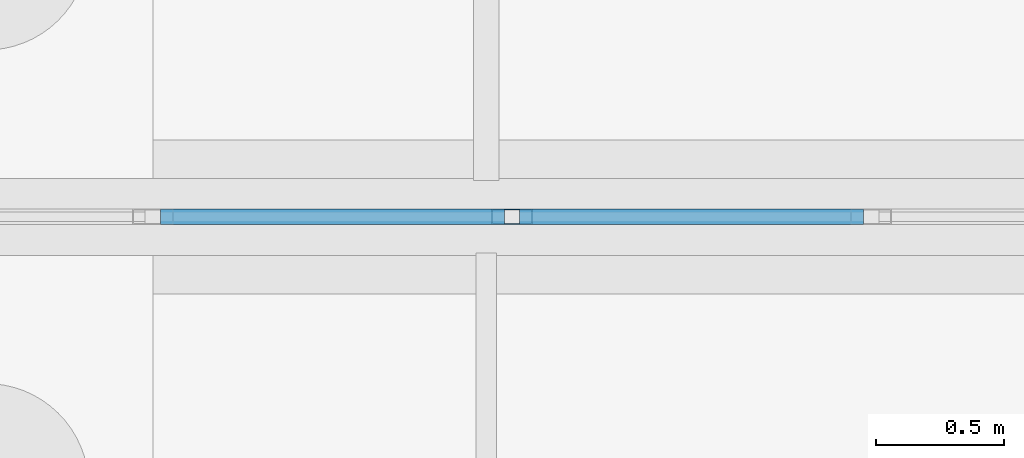
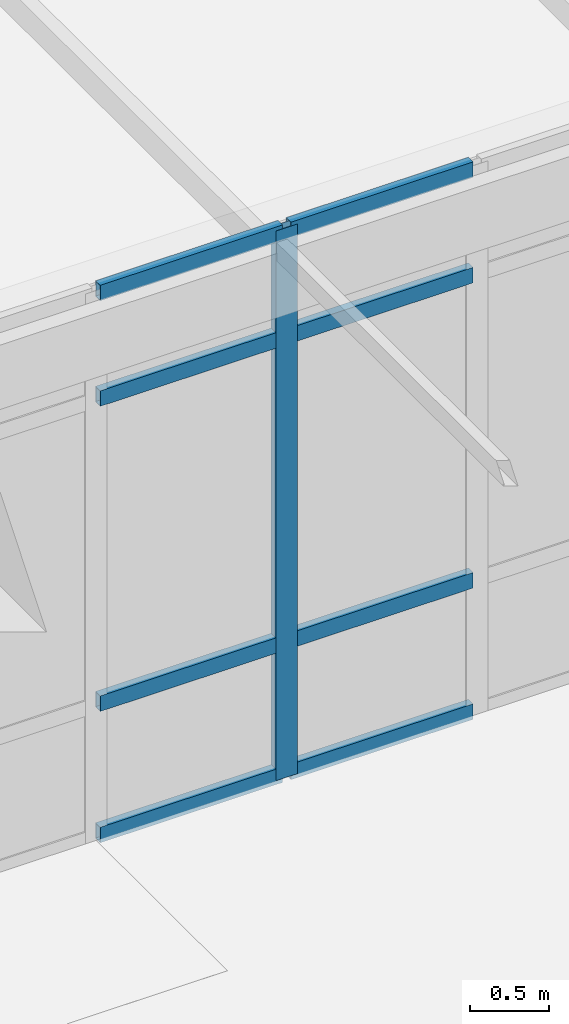
# One storey, part 68 of 186: 9 members, 1 element without a shape of its own.
"""IFC4 building model written with IfcOpenShell, lengths in metres."""

from ifc_helpers import new_model, si_unit, direction, frame, origin, origin_2d, place, context, subcontext, project, spatial, hollow_rectangle, extrude, material, layer, layer_set, material_profile, profile_set, type_object, element, aggregate, save


model = new_model("IFC4")

# Units and contexts
model_context = context("Model", 3, precision=1e-05, world=origin(), true_north=direction((0.0, 1.0)))
body_context = subcontext(model_context, "Body", "Model", "MODEL_VIEW")
ifc_project = project(units=[si_unit("LENGTHUNIT", "METRE"), si_unit("AREAUNIT", "SQUARE_METRE"), si_unit("VOLUMEUNIT", "CUBIC_METRE"), si_unit("PLANEANGLEUNIT", "RADIAN"), si_unit("MASSUNIT", "GRAM", prefix="KILO")], contexts=[model_context])

# Site, building, storey
site_placement = place(None, origin())
site = spatial("IfcSite", under=ifc_project, at=site_placement, CompositionType="ELEMENT")
building_placement = place(site_placement, origin())
building = spatial("IfcBuilding", under=site, at=building_placement, Name="Ornek Quay Market", CompositionType="ELEMENT")
storey_placement = place(building_placement, origin())
storey = spatial("IfcBuildingStorey", under=building, at=storey_placement, Name="L00", CompositionType="ELEMENT", Elevation=0.0)

# Curtain wall, members
ifc_material_1 = material(Name="Anodised bronze aluminium and triple low-e glass", Category="aluminium")
ifc_layer = layer(ifc_material_1, 0.179931640625, Name="Anodised bronze aluminium and triple low-e glass", Category="aluminium")
ifc_layer_set = layer_set([ifc_layer], Name="Anodised bronze aluminium and triple low-e glass")
curtain_wall_type = type_object("IfcCurtainWallType", Name="CW-CONC-MOD1500", PredefinedType="USERDEFINED", material=ifc_layer_set)
curtain_wall_placement = place(storey_placement, origin())
curtain_wall = element("IfcCurtainWall", 1, at=curtain_wall_placement, inside=storey, type_object=curtain_wall_type, Name="Curtain wall CW-005", ObjectType="CURTAIN WALL", PredefinedType="USERDEFINED")
ifc_material_2 = material(Name="Anodised aluminium 6063-T6", Category="aluminium")
ifc_material_profile_1 = material_profile(ifc_material_2, hollow_rectangle(XDim=0.06005859375, YDim=0.159912109375, WallThickness=0.00390625, at=origin_2d()), Name="CW-MUL-60x160", Category="aluminium")
ifc_profile_set_1 = profile_set([ifc_material_profile_1], Name="Anodised aluminium 6063-T6")
member_type_1 = type_object("IfcMemberType", Name="CW-MUL-60x160", PredefinedType="MULLION", material=ifc_profile_set_1)
member_1_placement = place(storey_placement, frame((30.10009765625, 110.0, 0.0), z_axis=(0.0, 0.0, 1.0), x_axis=(0.0, 1.0, 0.0)))
member_1 = element("IfcMember", 2, at=member_1_placement, type_object=member_type_1, Name="CW-005 mullion 3", PredefinedType="MULLION", context=body_context, shape_type="SweptSolid", body=[
    extrude(hollow_rectangle(XDim=0.06005859375, YDim=0.159912109375, WallThickness=0.00390625, at=origin_2d()), origin(), (0.0, 0.0, 1.0), 4.27001953125),
])
ifc_material_profile_2 = material_profile(ifc_material_2, hollow_rectangle(XDim=0.06005859375, YDim=0.1201171875, WallThickness=0.00390625, at=origin_2d()), Name="CW-TRN-60x120", Category="aluminium")
ifc_profile_set_2 = profile_set([ifc_material_profile_2], Name="Anodised aluminium 6063-T6")
member_type_2 = type_object("IfcMemberType", Name="CW-TRN-60x120", PredefinedType="USERDEFINED", material=ifc_profile_set_2)
member_2_placement = place(storey_placement, frame((28.72998046875, 110.0, 0.030029296875), z_axis=(1.0, 0.0, 0.0), x_axis=(0.0, 1.0, 0.0)))
member_2 = element("IfcMember", 3, at=member_2_placement, type_object=member_type_2, Name="CW-005 transom 2.1", ObjectType="TRANSOM", PredefinedType="USERDEFINED", context=body_context, shape_type="SweptSolid", body=[
    extrude(hollow_rectangle(XDim=0.06005859375, YDim=0.1201171875, WallThickness=0.00390625, at=origin_2d()), origin(), (0.0, 0.0, 1.0), 1.340087890625),
])
member_3_placement = place(storey_placement, frame((28.72998046875, 110.0, 1.050048828125), z_axis=(1.0, 0.0, 0.0), x_axis=(0.0, 1.0, 0.0)))
member_3 = element("IfcMember", 4, at=member_3_placement, type_object=member_type_2, Name="CW-005 transom 2.2", ObjectType="TRANSOM", PredefinedType="USERDEFINED", context=body_context, shape_type="SweptSolid", body=[
    extrude(hollow_rectangle(XDim=0.06005859375, YDim=0.1201171875, WallThickness=0.00390625, at=origin_2d()), origin(), (0.0, 0.0, 1.0), 1.340087890625),
])
member_4_placement = place(storey_placement, frame((28.72998046875, 110.0, 3.419921875), z_axis=(1.0, 0.0, 0.0), x_axis=(0.0, 1.0, 0.0)))
member_4 = element("IfcMember", 5, at=member_4_placement, type_object=member_type_2, Name="CW-005 transom 2.3", ObjectType="TRANSOM", PredefinedType="USERDEFINED", context=body_context, shape_type="SweptSolid", body=[
    extrude(hollow_rectangle(XDim=0.06005859375, YDim=0.1201171875, WallThickness=0.00390625, at=origin_2d()), origin(), (0.0, 0.0, 1.0), 1.340087890625),
])
member_5_placement = place(storey_placement, frame((28.72998046875, 110.0, 4.239990234375), z_axis=(1.0, 0.0, 0.0), x_axis=(0.0, 1.0, 0.0)))
member_5 = element("IfcMember", 6, at=member_5_placement, type_object=member_type_2, Name="CW-005 transom 2.4", ObjectType="TRANSOM", PredefinedType="USERDEFINED", context=body_context, shape_type="SweptSolid", body=[
    extrude(hollow_rectangle(XDim=0.06005859375, YDim=0.1201171875, WallThickness=0.00390625, at=origin_2d()), origin(), (0.0, 0.0, 1.0), 1.340087890625),
])
member_6_placement = place(storey_placement, frame((30.1298828125, 110.0, 0.030029296875), z_axis=(1.0, 0.0, 0.0), x_axis=(0.0, 1.0, 0.0)))
member_6 = element("IfcMember", 7, at=member_6_placement, type_object=member_type_2, Name="CW-005 transom 3.1", ObjectType="TRANSOM", PredefinedType="USERDEFINED", context=body_context, shape_type="SweptSolid", body=[
    extrude(hollow_rectangle(XDim=0.06005859375, YDim=0.1201171875, WallThickness=0.00390625, at=origin_2d()), origin(), (0.0, 0.0, 1.0), 1.340087890625),
])
member_7_placement = place(storey_placement, frame((30.1298828125, 110.0, 1.050048828125), z_axis=(1.0, 0.0, 0.0), x_axis=(0.0, 1.0, 0.0)))
member_7 = element("IfcMember", 8, at=member_7_placement, type_object=member_type_2, Name="CW-005 transom 3.2", ObjectType="TRANSOM", PredefinedType="USERDEFINED", context=body_context, shape_type="SweptSolid", body=[
    extrude(hollow_rectangle(XDim=0.06005859375, YDim=0.1201171875, WallThickness=0.00390625, at=origin_2d()), origin(), (0.0, 0.0, 1.0), 1.340087890625),
])
member_8_placement = place(storey_placement, frame((30.1298828125, 110.0, 3.419921875), z_axis=(1.0, 0.0, 0.0), x_axis=(0.0, 1.0, 0.0)))
member_8 = element("IfcMember", 9, at=member_8_placement, type_object=member_type_2, Name="CW-005 transom 3.3", ObjectType="TRANSOM", PredefinedType="USERDEFINED", context=body_context, shape_type="SweptSolid", body=[
    extrude(hollow_rectangle(XDim=0.06005859375, YDim=0.1201171875, WallThickness=0.00390625, at=origin_2d()), origin(), (0.0, 0.0, 1.0), 1.340087890625),
])
member_9_placement = place(storey_placement, frame((30.1298828125, 110.0, 4.239990234375), z_axis=(1.0, 0.0, 0.0), x_axis=(0.0, 1.0, 0.0)))
member_9 = element("IfcMember", 10, at=member_9_placement, type_object=member_type_2, Name="CW-005 transom 3.4", ObjectType="TRANSOM", PredefinedType="USERDEFINED", context=body_context, shape_type="SweptSolid", body=[
    extrude(hollow_rectangle(XDim=0.06005859375, YDim=0.1201171875, WallThickness=0.00390625, at=origin_2d()), origin(), (0.0, 0.0, 1.0), 1.340087890625),
])
aggregate(curtain_wall, [member_1, member_2, member_3, member_4, member_5, member_6, member_7, member_8, member_9])

save(model, "model.ifc")
